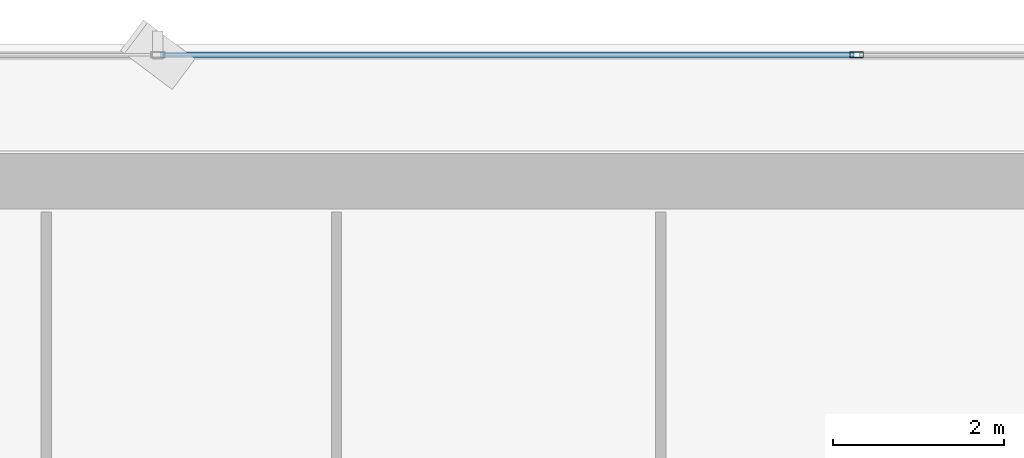
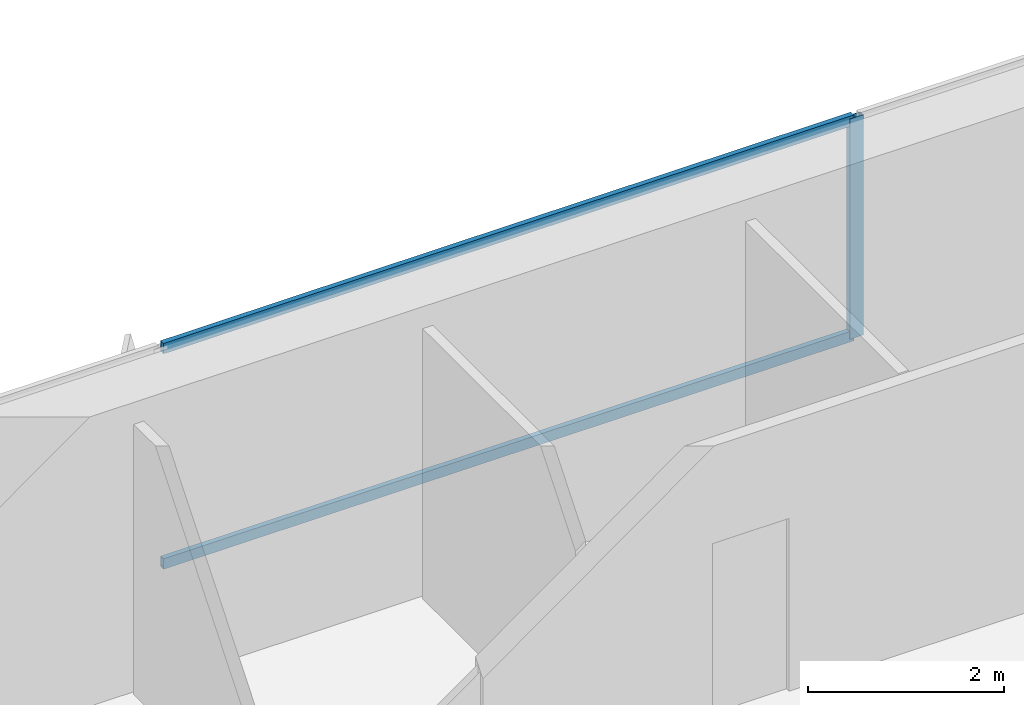
# One storey, part 22 of 36: 3 members, 1 element without a shape of its own.
"""IFC4 building model written with IfcOpenShell, lengths in metres."""

from ifc_helpers import new_model, si_unit, direction, frame, origin, origin_2d, place, context, subcontext, project, spatial, hollow_rectangle, extrude, source, transform, mapped, material, layer, layer_set, material_profile, profile_set, type_object, element, aggregate, save


model = new_model("IFC4")

# Units and contexts
model_context = context("Model", 3, precision=1e-05, world=origin(), true_north=direction((0.0, 1.0)))
body_context = subcontext(model_context, "Body", "Model", "MODEL_VIEW")
ifc_project = project(units=[si_unit("LENGTHUNIT", "METRE"), si_unit("AREAUNIT", "SQUARE_METRE"), si_unit("VOLUMEUNIT", "CUBIC_METRE"), si_unit("PLANEANGLEUNIT", "RADIAN"), si_unit("MASSUNIT", "GRAM", prefix="KILO")], contexts=[model_context])

# Site, building, storey
site_placement = place(None, origin())
site = spatial("IfcSite", under=ifc_project, at=site_placement, CompositionType="ELEMENT")
building_placement = place(site_placement, origin())
building = spatial("IfcBuilding", under=site, at=building_placement, Name="Sumidabori Civic Tower", CompositionType="ELEMENT")
storey_placement = place(building_placement, frame((0.0, 0.0, 113.60009765625)))
storey = spatial("IfcBuildingStorey", under=building, at=storey_placement, Name="L29", CompositionType="ELEMENT", Elevation=113.60009765625)

# Curtain wall, members
ifc_material = material(Name="Anodised Bronze Aluminium AW-6063-T6", Category="aluminium")
ifc_layer = layer(ifc_material, 0.179931640625, Name="Anodised Bronze Aluminium AW-6063-T6")
ifc_layer_set = layer_set([ifc_layer], Name="Anodised Bronze Aluminium AW-6063-T6")
curtain_wall_type = type_object("IfcCurtainWallType", Name="CW-SYS-3", PredefinedType="NOTDEFINED", material=ifc_layer_set)
curtain_wall_placement = place(storey_placement, origin())
curtain_wall = element("IfcCurtainWall", 1, at=curtain_wall_placement, inside=storey, type_object=curtain_wall_type, Name="Curtain Wall CW:L29:R07", PredefinedType="NOTDEFINED")
ifc_material_profile_1 = material_profile(ifc_material, hollow_rectangle(XDim=0.06494140625, YDim=0.159912109375, WallThickness=0.0048828125, at=origin_2d()), Name="ALU MULLION 160x65")
ifc_profile_set_1 = profile_set([ifc_material_profile_1], Name="Anodised Bronze Aluminium AW-6063-T6")
member_type_1 = type_object("IfcMemberType", Name="CW-MUL-160", PredefinedType="MULLION", material=ifc_profile_set_1)
shared_shape_1 = source(origin(), body_context, "Body", "SweptSolid", [
    extrude(hollow_rectangle(XDim=0.06494140625, YDim=0.159912109375, WallThickness=0.0048828125, at=origin_2d()), origin(), (0.0, 0.0, 1.0), 2.739990234375),
])
member_1_placement = place(storey_placement, frame((4.093994140625, 25.280029296875, 0.0), z_axis=(0.0, 0.0, 1.0), x_axis=(0.0, -1.0, 0.0)))
member_1 = element("IfcMember", 2, at=member_1_placement, type_object=member_type_1, Name="CW-3 mullion 3", PredefinedType="MULLION", context=body_context, shape_type="MappedRepresentation", body=[
    mapped(shared_shape_1, transform((0.0, 0.0, 0.0), x_axis=(1.0, 0.0, 0.0), y_axis=(0.0, 1.0, 0.0), z_axis=(0.0, 0.0, 1.0), scale=1.0)),
])
ifc_material_profile_2 = material_profile(ifc_material, hollow_rectangle(XDim=0.06005859375, YDim=0.1298828125, WallThickness=0.0048828125, at=origin_2d()), Name="ALU TRANSOM 130x60")
ifc_profile_set_2 = profile_set([ifc_material_profile_2], Name="Anodised Bronze Aluminium AW-6063-T6")
member_type_2 = type_object("IfcMemberType", Name="CW-TRN-130", PredefinedType="USERDEFINED", material=ifc_profile_set_2)
shared_shape_2 = source(origin(), body_context, "Body", "SweptSolid", [
    extrude(hollow_rectangle(XDim=0.06005859375, YDim=0.1298828125, WallThickness=0.0048828125, at=origin_2d()), origin(), (0.0, 0.0, 1.0), 8.123046875),
])
member_2_placement = place(storey_placement, frame((4.0615234375, 25.280029296875, 0.02978515625), z_axis=(-1.0, 0.0, 0.0), x_axis=(0.0, -1.0, 0.0)))
member_2 = element("IfcMember", 3, at=member_2_placement, type_object=member_type_2, Name="CW-3 transom 3.1", ObjectType="TRANSOM", PredefinedType="USERDEFINED", context=body_context, shape_type="MappedRepresentation", body=[
    mapped(shared_shape_2, transform((0.0, 0.0, 0.0), x_axis=(1.0, 0.0, 0.0), y_axis=(0.0, 1.0, 0.0), z_axis=(0.0, 0.0, 1.0), scale=1.0)),
])
member_3_placement = place(storey_placement, frame((4.0615234375, 25.280029296875, 2.7099609375), z_axis=(-1.0, 0.0, 0.0), x_axis=(0.0, -1.0, 0.0)))
member_3 = element("IfcMember", 4, at=member_3_placement, type_object=member_type_2, Name="CW-3 transom 3.2", ObjectType="TRANSOM", PredefinedType="USERDEFINED", context=body_context, shape_type="MappedRepresentation", body=[
    mapped(shared_shape_2, transform((0.0, 0.0, 0.0), x_axis=(1.0, 0.0, 0.0), y_axis=(0.0, 1.0, 0.0), z_axis=(0.0, 0.0, 1.0), scale=1.0)),
])
aggregate(curtain_wall, [member_1, member_2, member_3])

save(model, "model.ifc")
